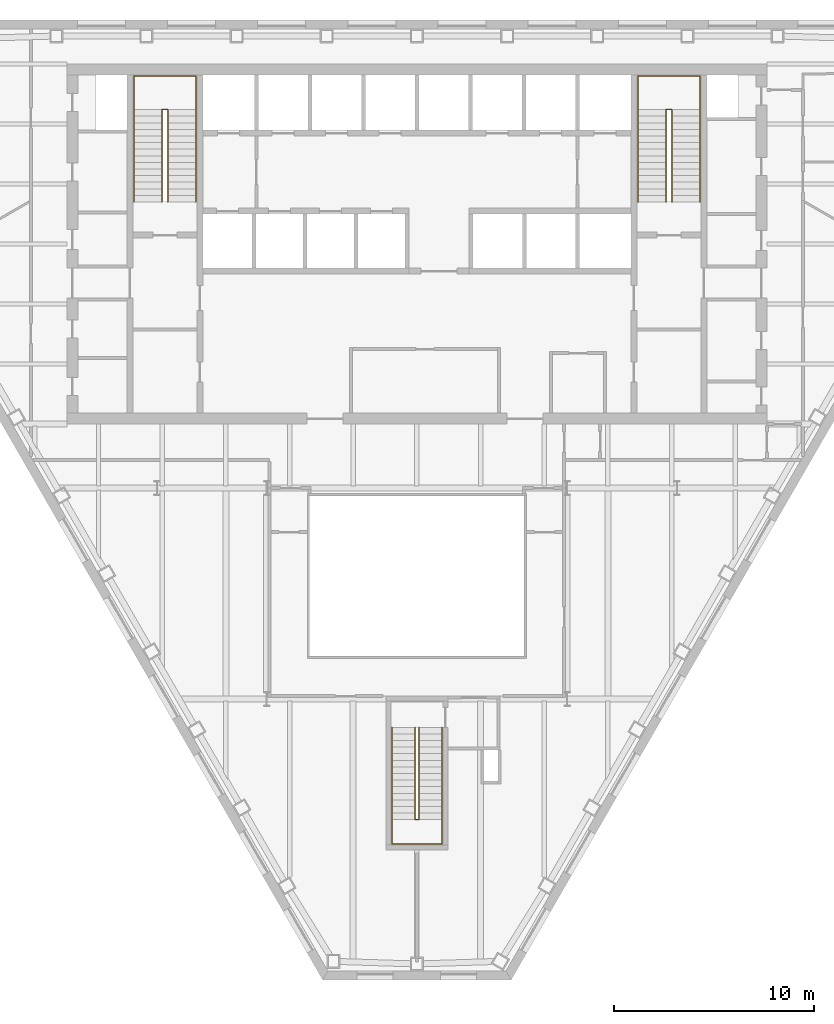
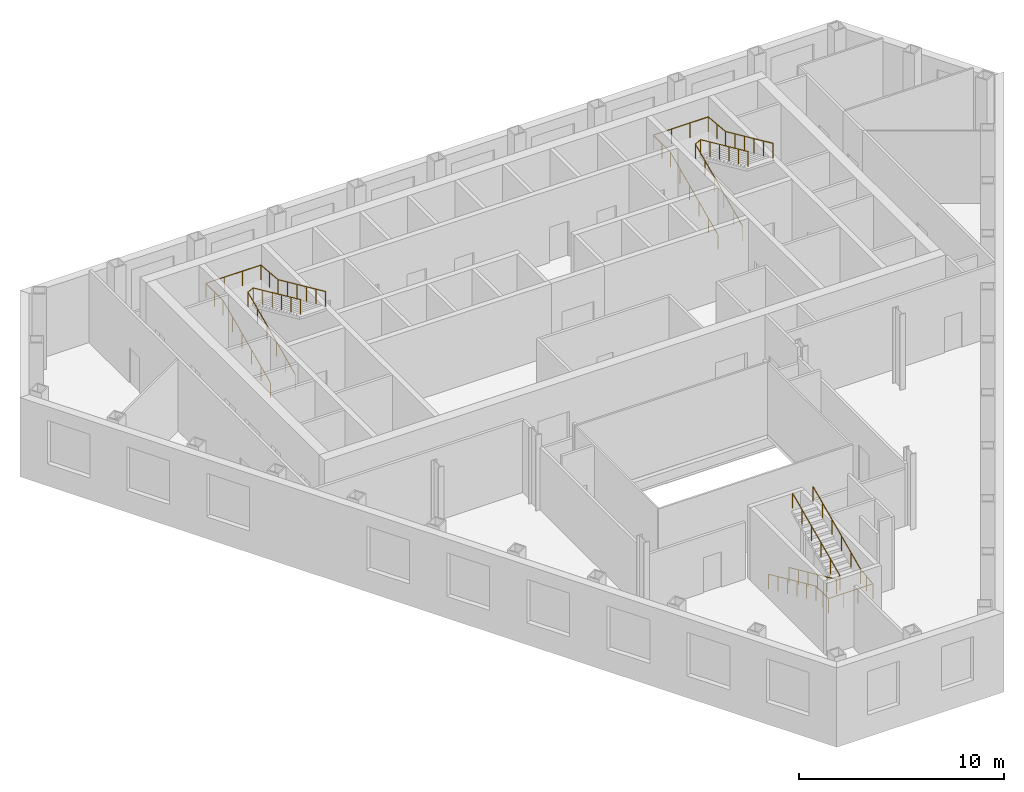
# One storey, part 11 of 11: 6 railings.
"""IFC4 building model written with IfcOpenShell, lengths in metres."""

from ifc_helpers import new_model, si_unit, direction, frame, origin, origin_2d, place, context, subcontext, project, spatial, circle, extrude, material, type_object, element, save


model = new_model("IFC4")

# Units and contexts
model_context = context("Model", 3, precision=1e-05, world=origin(), true_north=direction((0.0, 1.0)))
body_context = subcontext(model_context, "Body", "Model", "MODEL_VIEW")
ifc_project = project(units=[si_unit("LENGTHUNIT", "METRE"), si_unit("AREAUNIT", "SQUARE_METRE"), si_unit("VOLUMEUNIT", "CUBIC_METRE"), si_unit("PLANEANGLEUNIT", "RADIAN"), si_unit("MASSUNIT", "GRAM", prefix="KILO")], contexts=[model_context])

# Site, building, storey
site_placement = place(None, origin())
site = spatial("IfcSite", under=ifc_project, at=site_placement, CompositionType="ELEMENT")
building_placement = place(site_placement, origin())
building = spatial("IfcBuilding", under=site, at=building_placement, Name="Njiva Tower", CompositionType="ELEMENT")
storey_placement = place(building_placement, frame((0.0, 0.0, 129.3)))
storey = spatial("IfcBuildingStorey", under=building, at=storey_placement, Name="L27", CompositionType="ELEMENT", Elevation=129.3)

# Railings
ifc_material = material(Name="Stainless steel", Category="steel")
railing_type = type_object("IfcRailingType", Name="RL1 Stair handrail 900", PredefinedType="HANDRAIL", material=ifc_material)
railing_1_placement = place(storey_placement, frame((-14.15, 11.1, 0.15)))
element("IfcRailing", 1, at=railing_1_placement, inside=storey, type_object=railing_type, Name="Stair A handrail", PredefinedType="HANDRAIL", context=body_context, shape_type="SweptSolid", body=[
    extrude(circle(Radius=0.024, at=origin_2d()), frame((0.0, 0.0, 0.876), z_axis=(0.0, 0.910366477463, 0.413802944301), x_axis=(-1.0, 0.0, 0.0)), (0.0, 0.0, 1.0), 5.0749),
    extrude(circle(Radius=0.024, at=origin_2d()), frame((0.0, 4.62, 2.976), z_axis=(0.0, 1.0, 0.0), x_axis=(-1.0, 0.0, 0.0)), (0.0, 0.0, 1.0), 1.68),
    extrude(circle(Radius=0.024, at=origin_2d()), frame((0.0, 6.3, 2.976), z_axis=(1.0, 0.0, 0.0), x_axis=(0.0, 1.0, 0.0)), (0.0, 0.0, 1.0), 3.1),
    extrude(circle(Radius=0.024, at=origin_2d()), frame((3.1, 6.3, 2.976), z_axis=(0.0, -0.996037705314, 0.088931937974), x_axis=(1.0, 0.0, 0.0)), (0.0, 0.0, 1.0), 1.6867),
    extrude(circle(Radius=0.024, at=origin_2d()), frame((3.1, 4.62, 3.126), z_axis=(0.0, -0.910366477463, 0.413802944301), x_axis=(1.0, 0.0, 0.0)), (0.0, 0.0, 1.0), 5.0749),
    extrude(circle(Radius=0.021, at=origin_2d()), origin(), (0.0, 0.0, 1.0), 0.852),
    extrude(circle(Radius=0.021, at=origin_2d()), frame((0.0, 0.924, 0.42)), (0.0, 0.0, 1.0), 0.852),
    extrude(circle(Radius=0.021, at=origin_2d()), frame((0.0, 1.848, 0.84)), (0.0, 0.0, 1.0), 0.852),
    extrude(circle(Radius=0.021, at=origin_2d()), frame((0.0, 2.772, 1.26)), (0.0, 0.0, 1.0), 0.852),
    extrude(circle(Radius=0.021, at=origin_2d()), frame((0.0, 3.696, 1.68)), (0.0, 0.0, 1.0), 0.852),
    extrude(circle(Radius=0.021, at=origin_2d()), frame((0.0, 4.62, 2.1)), (0.0, 0.0, 1.0), 0.852),
    extrude(circle(Radius=0.021, at=origin_2d()), frame((0.0, 5.46, 2.1)), (0.0, 0.0, 1.0), 0.852),
    extrude(circle(Radius=0.021, at=origin_2d()), frame((0.0, 6.3, 2.1)), (0.0, 0.0, 1.0), 0.852),
    extrude(circle(Radius=0.021, at=origin_2d()), frame((1.0333, 6.3, 2.1)), (0.0, 0.0, 1.0), 0.852),
    extrude(circle(Radius=0.021, at=origin_2d()), frame((2.0667, 6.3, 2.1)), (0.0, 0.0, 1.0), 0.852),
    extrude(circle(Radius=0.021, at=origin_2d()), frame((3.1, 6.3, 2.1)), (0.0, 0.0, 1.0), 0.852),
    extrude(circle(Radius=0.021, at=origin_2d()), frame((3.1, 5.46, 2.175)), (0.0, 0.0, 1.0), 0.852),
    extrude(circle(Radius=0.021, at=origin_2d()), frame((3.1, 4.62, 2.25)), (0.0, 0.0, 1.0), 0.852),
    extrude(circle(Radius=0.021, at=origin_2d()), frame((3.1, 3.696, 2.67)), (0.0, 0.0, 1.0), 0.852),
    extrude(circle(Radius=0.021, at=origin_2d()), frame((3.1, 2.772, 3.09)), (0.0, 0.0, 1.0), 0.852),
    extrude(circle(Radius=0.021, at=origin_2d()), frame((3.1, 1.848, 3.51)), (0.0, 0.0, 1.0), 0.852),
    extrude(circle(Radius=0.021, at=origin_2d()), frame((3.1, 0.924, 3.93)), (0.0, 0.0, 1.0), 0.852),
    extrude(circle(Radius=0.021, at=origin_2d()), frame((3.1, 0.0, 4.35)), (0.0, 0.0, 1.0), 0.852),
])
railing_2_placement = place(storey_placement, frame((-12.75, 11.1, 0.15)))
element("IfcRailing", 2, at=railing_2_placement, inside=storey, type_object=railing_type, Name="Stair A handrail", PredefinedType="HANDRAIL", context=body_context, shape_type="SweptSolid", body=[
    extrude(circle(Radius=0.024, at=origin_2d()), frame((0.0, 0.0, 0.876), z_axis=(0.0, 0.910366477463, 0.413802944301), x_axis=(-1.0, 0.0, 0.0)), (0.0, 0.0, 1.0), 5.0749),
    extrude(circle(Radius=0.024, at=origin_2d()), frame((0.0, 4.62, 2.976), z_axis=(0.894427191, 0.0, 0.4472135955), x_axis=(0.0, 1.0, 0.0)), (0.0, 0.0, 1.0), 0.3354),
    extrude(circle(Radius=0.024, at=origin_2d()), frame((0.3, 4.62, 3.126), z_axis=(0.0, -0.910366477463, 0.413802944301), x_axis=(1.0, 0.0, 0.0)), (0.0, 0.0, 1.0), 5.0749),
    extrude(circle(Radius=0.021, at=origin_2d()), origin(), (0.0, 0.0, 1.0), 0.852),
    extrude(circle(Radius=0.021, at=origin_2d()), frame((0.0, 0.924, 0.42)), (0.0, 0.0, 1.0), 0.852),
    extrude(circle(Radius=0.021, at=origin_2d()), frame((0.0, 1.848, 0.84)), (0.0, 0.0, 1.0), 0.852),
    extrude(circle(Radius=0.021, at=origin_2d()), frame((0.0, 2.772, 1.26)), (0.0, 0.0, 1.0), 0.852),
    extrude(circle(Radius=0.021, at=origin_2d()), frame((0.0, 3.696, 1.68)), (0.0, 0.0, 1.0), 0.852),
    extrude(circle(Radius=0.021, at=origin_2d()), frame((0.0, 4.62, 2.1)), (0.0, 0.0, 1.0), 0.852),
    extrude(circle(Radius=0.021, at=origin_2d()), frame((0.3, 4.62, 2.25)), (0.0, 0.0, 1.0), 0.852),
    extrude(circle(Radius=0.021, at=origin_2d()), frame((0.3, 3.696, 2.67)), (0.0, 0.0, 1.0), 0.852),
    extrude(circle(Radius=0.021, at=origin_2d()), frame((0.3, 2.772, 3.09)), (0.0, 0.0, 1.0), 0.852),
    extrude(circle(Radius=0.021, at=origin_2d()), frame((0.3, 1.848, 3.51)), (0.0, 0.0, 1.0), 0.852),
    extrude(circle(Radius=0.021, at=origin_2d()), frame((0.3, 0.924, 3.93)), (0.0, 0.0, 1.0), 0.852),
    extrude(circle(Radius=0.021, at=origin_2d()), frame((0.3, 0.0, 4.35)), (0.0, 0.0, 1.0), 0.852),
])
railing_3_placement = place(storey_placement, frame((11.05, 11.1, 0.15)))
element("IfcRailing", 3, at=railing_3_placement, inside=storey, type_object=railing_type, Name="Stair B handrail", PredefinedType="HANDRAIL", context=body_context, shape_type="SweptSolid", body=[
    extrude(circle(Radius=0.024, at=origin_2d()), frame((0.0, 0.0, 0.876), z_axis=(0.0, 0.910366477463, 0.413802944301), x_axis=(-1.0, 0.0, 0.0)), (0.0, 0.0, 1.0), 5.0749),
    extrude(circle(Radius=0.024, at=origin_2d()), frame((0.0, 4.62, 2.976), z_axis=(0.0, 1.0, 0.0), x_axis=(-1.0, 0.0, 0.0)), (0.0, 0.0, 1.0), 1.68),
    extrude(circle(Radius=0.024, at=origin_2d()), frame((0.0, 6.3, 2.976), z_axis=(1.0, 0.0, 0.0), x_axis=(0.0, 1.0, 0.0)), (0.0, 0.0, 1.0), 3.1),
    extrude(circle(Radius=0.024, at=origin_2d()), frame((3.1, 6.3, 2.976), z_axis=(0.0, -0.996037705314, 0.088931937974), x_axis=(1.0, 0.0, 0.0)), (0.0, 0.0, 1.0), 1.6867),
    extrude(circle(Radius=0.024, at=origin_2d()), frame((3.1, 4.62, 3.126), z_axis=(0.0, -0.910366477463, 0.413802944301), x_axis=(1.0, 0.0, 0.0)), (0.0, 0.0, 1.0), 5.0749),
    extrude(circle(Radius=0.021, at=origin_2d()), origin(), (0.0, 0.0, 1.0), 0.852),
    extrude(circle(Radius=0.021, at=origin_2d()), frame((0.0, 0.924, 0.42)), (0.0, 0.0, 1.0), 0.852),
    extrude(circle(Radius=0.021, at=origin_2d()), frame((0.0, 1.848, 0.84)), (0.0, 0.0, 1.0), 0.852),
    extrude(circle(Radius=0.021, at=origin_2d()), frame((0.0, 2.772, 1.26)), (0.0, 0.0, 1.0), 0.852),
    extrude(circle(Radius=0.021, at=origin_2d()), frame((0.0, 3.696, 1.68)), (0.0, 0.0, 1.0), 0.852),
    extrude(circle(Radius=0.021, at=origin_2d()), frame((0.0, 4.62, 2.1)), (0.0, 0.0, 1.0), 0.852),
    extrude(circle(Radius=0.021, at=origin_2d()), frame((0.0, 5.46, 2.1)), (0.0, 0.0, 1.0), 0.852),
    extrude(circle(Radius=0.021, at=origin_2d()), frame((0.0, 6.3, 2.1)), (0.0, 0.0, 1.0), 0.852),
    extrude(circle(Radius=0.021, at=origin_2d()), frame((1.0333, 6.3, 2.1)), (0.0, 0.0, 1.0), 0.852),
    extrude(circle(Radius=0.021, at=origin_2d()), frame((2.0667, 6.3, 2.1)), (0.0, 0.0, 1.0), 0.852),
    extrude(circle(Radius=0.021, at=origin_2d()), frame((3.1, 6.3, 2.1)), (0.0, 0.0, 1.0), 0.852),
    extrude(circle(Radius=0.021, at=origin_2d()), frame((3.1, 5.46, 2.175)), (0.0, 0.0, 1.0), 0.852),
    extrude(circle(Radius=0.021, at=origin_2d()), frame((3.1, 4.62, 2.25)), (0.0, 0.0, 1.0), 0.852),
    extrude(circle(Radius=0.021, at=origin_2d()), frame((3.1, 3.696, 2.67)), (0.0, 0.0, 1.0), 0.852),
    extrude(circle(Radius=0.021, at=origin_2d()), frame((3.1, 2.772, 3.09)), (0.0, 0.0, 1.0), 0.852),
    extrude(circle(Radius=0.021, at=origin_2d()), frame((3.1, 1.848, 3.51)), (0.0, 0.0, 1.0), 0.852),
    extrude(circle(Radius=0.021, at=origin_2d()), frame((3.1, 0.924, 3.93)), (0.0, 0.0, 1.0), 0.852),
    extrude(circle(Radius=0.021, at=origin_2d()), frame((3.1, 0.0, 4.35)), (0.0, 0.0, 1.0), 0.852),
])
railing_4_placement = place(storey_placement, frame((12.45, 11.1, 0.15)))
element("IfcRailing", 4, at=railing_4_placement, inside=storey, type_object=railing_type, Name="Stair B handrail", PredefinedType="HANDRAIL", context=body_context, shape_type="SweptSolid", body=[
    extrude(circle(Radius=0.024, at=origin_2d()), frame((0.0, 0.0, 0.876), z_axis=(0.0, 0.910366477463, 0.413802944301), x_axis=(-1.0, 0.0, 0.0)), (0.0, 0.0, 1.0), 5.0749),
    extrude(circle(Radius=0.024, at=origin_2d()), frame((0.0, 4.62, 2.976), z_axis=(0.894427191, 0.0, 0.4472135955), x_axis=(0.0, 1.0, 0.0)), (0.0, 0.0, 1.0), 0.3354),
    extrude(circle(Radius=0.024, at=origin_2d()), frame((0.3, 4.62, 3.126), z_axis=(0.0, -0.910366477463, 0.413802944301), x_axis=(1.0, 0.0, 0.0)), (0.0, 0.0, 1.0), 5.0749),
    extrude(circle(Radius=0.021, at=origin_2d()), origin(), (0.0, 0.0, 1.0), 0.852),
    extrude(circle(Radius=0.021, at=origin_2d()), frame((0.0, 0.924, 0.42)), (0.0, 0.0, 1.0), 0.852),
    extrude(circle(Radius=0.021, at=origin_2d()), frame((0.0, 1.848, 0.84)), (0.0, 0.0, 1.0), 0.852),
    extrude(circle(Radius=0.021, at=origin_2d()), frame((0.0, 2.772, 1.26)), (0.0, 0.0, 1.0), 0.852),
    extrude(circle(Radius=0.021, at=origin_2d()), frame((0.0, 3.696, 1.68)), (0.0, 0.0, 1.0), 0.852),
    extrude(circle(Radius=0.021, at=origin_2d()), frame((0.0, 4.62, 2.1)), (0.0, 0.0, 1.0), 0.852),
    extrude(circle(Radius=0.021, at=origin_2d()), frame((0.3, 4.62, 2.25)), (0.0, 0.0, 1.0), 0.852),
    extrude(circle(Radius=0.021, at=origin_2d()), frame((0.3, 3.696, 2.67)), (0.0, 0.0, 1.0), 0.852),
    extrude(circle(Radius=0.021, at=origin_2d()), frame((0.3, 2.772, 3.09)), (0.0, 0.0, 1.0), 0.852),
    extrude(circle(Radius=0.021, at=origin_2d()), frame((0.3, 1.848, 3.51)), (0.0, 0.0, 1.0), 0.852),
    extrude(circle(Radius=0.021, at=origin_2d()), frame((0.3, 0.924, 3.93)), (0.0, 0.0, 1.0), 0.852),
    extrude(circle(Radius=0.021, at=origin_2d()), frame((0.3, 0.0, 4.35)), (0.0, 0.0, 1.0), 0.852),
])
railing_5_placement = place(storey_placement, frame((-1.25, -15.16, 0.15)))
element("IfcRailing", 5, at=railing_5_placement, inside=storey, type_object=railing_type, Name="Stair C handrail", PredefinedType="HANDRAIL", context=body_context, shape_type="SweptSolid", body=[
    extrude(circle(Radius=0.024, at=origin_2d()), frame((0.0, 0.0, 0.876), z_axis=(0.0, -0.910366477463, 0.413802944301), x_axis=(1.0, 0.0, 0.0)), (0.0, 0.0, 1.0), 5.0749),
    extrude(circle(Radius=0.024, at=origin_2d()), frame((0.0, -4.62, 2.976), z_axis=(0.0, -1.0, 0.0), x_axis=(1.0, 0.0, 0.0)), (0.0, 0.0, 1.0), 1.22),
    extrude(circle(Radius=0.024, at=origin_2d()), frame((0.0, -5.84, 2.976), z_axis=(1.0, 0.0, 0.0), x_axis=(0.0, 1.0, 0.0)), (0.0, 0.0, 1.0), 2.5),
    extrude(circle(Radius=0.024, at=origin_2d()), frame((2.5, -5.84, 2.976), z_axis=(0.0, 0.992526177815, 0.122031907108), x_axis=(-1.0, 0.0, 0.0)), (0.0, 0.0, 1.0), 1.2292),
    extrude(circle(Radius=0.024, at=origin_2d()), frame((2.5, -4.62, 3.126), z_axis=(0.0, 0.910366477463, 0.413802944301), x_axis=(-1.0, 0.0, 0.0)), (0.0, 0.0, 1.0), 5.0749),
    extrude(circle(Radius=0.021, at=origin_2d()), origin(), (0.0, 0.0, 1.0), 0.852),
    extrude(circle(Radius=0.021, at=origin_2d()), frame((0.0, -0.924, 0.42)), (0.0, 0.0, 1.0), 0.852),
    extrude(circle(Radius=0.021, at=origin_2d()), frame((0.0, -1.848, 0.84)), (0.0, 0.0, 1.0), 0.852),
    extrude(circle(Radius=0.021, at=origin_2d()), frame((0.0, -2.772, 1.26)), (0.0, 0.0, 1.0), 0.852),
    extrude(circle(Radius=0.021, at=origin_2d()), frame((0.0, -3.696, 1.68)), (0.0, 0.0, 1.0), 0.852),
    extrude(circle(Radius=0.021, at=origin_2d()), frame((0.0, -4.62, 2.1)), (0.0, 0.0, 1.0), 0.852),
    extrude(circle(Radius=0.021, at=origin_2d()), frame((0.0, -5.23, 2.1)), (0.0, 0.0, 1.0), 0.852),
    extrude(circle(Radius=0.021, at=origin_2d()), frame((0.0, -5.84, 2.1)), (0.0, 0.0, 1.0), 0.852),
    extrude(circle(Radius=0.021, at=origin_2d()), frame((0.8333, -5.84, 2.1)), (0.0, 0.0, 1.0), 0.852),
    extrude(circle(Radius=0.021, at=origin_2d()), frame((1.6667, -5.84, 2.1)), (0.0, 0.0, 1.0), 0.852),
    extrude(circle(Radius=0.021, at=origin_2d()), frame((2.5, -5.84, 2.1)), (0.0, 0.0, 1.0), 0.852),
    extrude(circle(Radius=0.021, at=origin_2d()), frame((2.5, -5.23, 2.175)), (0.0, 0.0, 1.0), 0.852),
    extrude(circle(Radius=0.021, at=origin_2d()), frame((2.5, -4.62, 2.25)), (0.0, 0.0, 1.0), 0.852),
    extrude(circle(Radius=0.021, at=origin_2d()), frame((2.5, -3.696, 2.67)), (0.0, 0.0, 1.0), 0.852),
    extrude(circle(Radius=0.021, at=origin_2d()), frame((2.5, -2.772, 3.09)), (0.0, 0.0, 1.0), 0.852),
    extrude(circle(Radius=0.021, at=origin_2d()), frame((2.5, -1.848, 3.51)), (0.0, 0.0, 1.0), 0.852),
    extrude(circle(Radius=0.021, at=origin_2d()), frame((2.5, -0.924, 3.93)), (0.0, 0.0, 1.0), 0.852),
    extrude(circle(Radius=0.021, at=origin_2d()), frame((2.5, 0.0, 4.35)), (0.0, 0.0, 1.0), 0.852),
])
railing_6_placement = place(storey_placement, frame((-0.1, -15.16, 0.15)))
element("IfcRailing", 6, at=railing_6_placement, inside=storey, type_object=railing_type, Name="Stair C handrail", PredefinedType="HANDRAIL", context=body_context, shape_type="SweptSolid", body=[
    extrude(circle(Radius=0.024, at=origin_2d()), frame((0.0, 0.0, 0.876), z_axis=(0.0, -0.910366477463, 0.413802944301), x_axis=(1.0, 0.0, 0.0)), (0.0, 0.0, 1.0), 5.0749),
    extrude(circle(Radius=0.024, at=origin_2d()), frame((0.0, -4.62, 2.976), z_axis=(0.8, 0.0, 0.6), x_axis=(0.0, 1.0, 0.0)), (0.0, 0.0, 1.0), 0.25),
    extrude(circle(Radius=0.024, at=origin_2d()), frame((0.2, -4.62, 3.126), z_axis=(0.0, 0.910366477463, 0.413802944301), x_axis=(-1.0, 0.0, 0.0)), (0.0, 0.0, 1.0), 5.0749),
    extrude(circle(Radius=0.021, at=origin_2d()), origin(), (0.0, 0.0, 1.0), 0.852),
    extrude(circle(Radius=0.021, at=origin_2d()), frame((0.0, -0.924, 0.42)), (0.0, 0.0, 1.0), 0.852),
    extrude(circle(Radius=0.021, at=origin_2d()), frame((0.0, -1.848, 0.84)), (0.0, 0.0, 1.0), 0.852),
    extrude(circle(Radius=0.021, at=origin_2d()), frame((0.0, -2.772, 1.26)), (0.0, 0.0, 1.0), 0.852),
    extrude(circle(Radius=0.021, at=origin_2d()), frame((0.0, -3.696, 1.68)), (0.0, 0.0, 1.0), 0.852),
    extrude(circle(Radius=0.021, at=origin_2d()), frame((0.0, -4.62, 2.1)), (0.0, 0.0, 1.0), 0.852),
    extrude(circle(Radius=0.021, at=origin_2d()), frame((0.2, -4.62, 2.25)), (0.0, 0.0, 1.0), 0.852),
    extrude(circle(Radius=0.021, at=origin_2d()), frame((0.2, -3.696, 2.67)), (0.0, 0.0, 1.0), 0.852),
    extrude(circle(Radius=0.021, at=origin_2d()), frame((0.2, -2.772, 3.09)), (0.0, 0.0, 1.0), 0.852),
    extrude(circle(Radius=0.021, at=origin_2d()), frame((0.2, -1.848, 3.51)), (0.0, 0.0, 1.0), 0.852),
    extrude(circle(Radius=0.021, at=origin_2d()), frame((0.2, -0.924, 3.93)), (0.0, 0.0, 1.0), 0.852),
    extrude(circle(Radius=0.021, at=origin_2d()), frame((0.2, 0.0, 4.35)), (0.0, 0.0, 1.0), 0.852),
])

save(model, "model.ifc")
